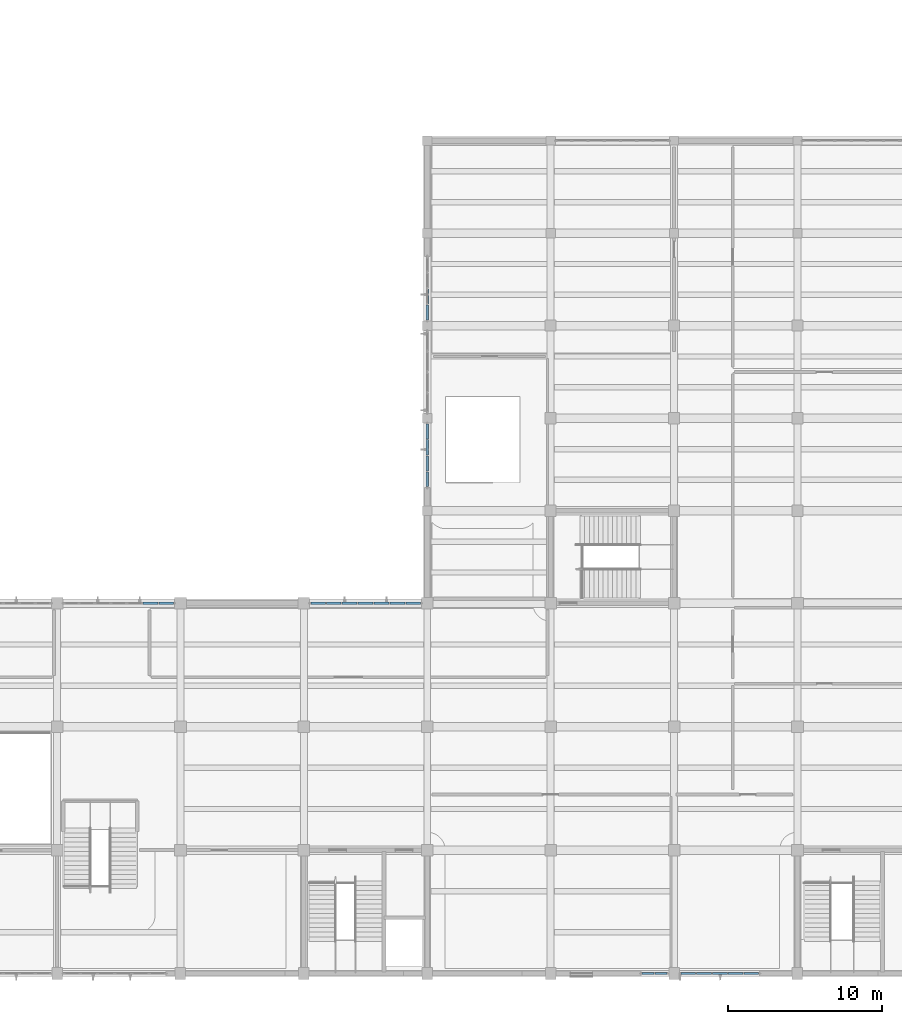
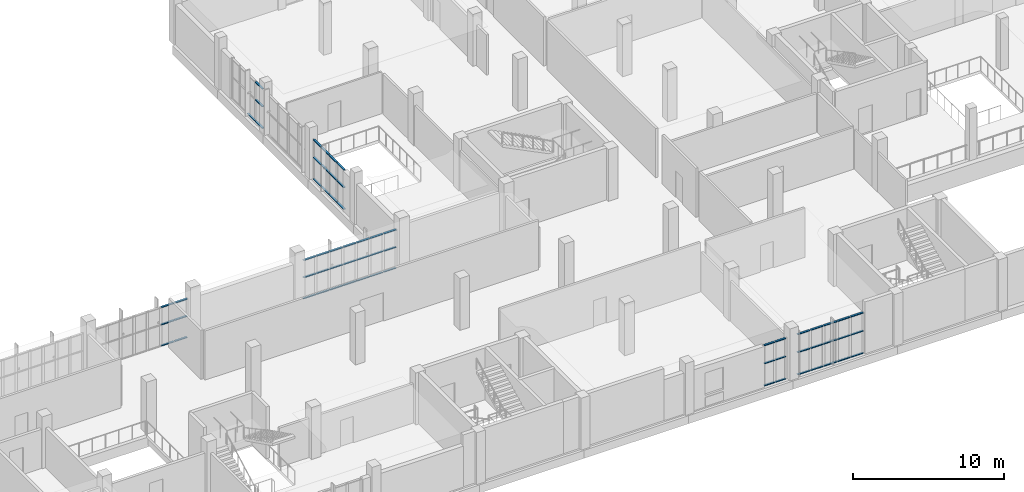
# One storey, part 37 of 85: 64 members, 6 elements without a shape of their own.
"""IFC4 building model written with IfcOpenShell, lengths in metres."""

from ifc_helpers import new_model, si_unit, direction, frame, origin, origin_2d, place, context, subcontext, project, spatial, rectangle, extrude, material, layer, layer_set, material_profile, profile_set, type_object, element, aggregate, save


model = new_model("IFC4")

# Units and contexts
model_context = context("Model", 3, precision=1e-05, world=origin(), true_north=direction((0.0, 1.0)))
body_context = subcontext(model_context, "Body", "Model", "MODEL_VIEW")
ifc_project = project(units=[si_unit("LENGTHUNIT", "METRE"), si_unit("AREAUNIT", "SQUARE_METRE"), si_unit("VOLUMEUNIT", "CUBIC_METRE"), si_unit("PLANEANGLEUNIT", "RADIAN"), si_unit("MASSUNIT", "GRAM", prefix="KILO")], contexts=[model_context])

# Site, building, storey
site_placement = place(None, origin())
site = spatial("IfcSite", under=ifc_project, at=site_placement, CompositionType="ELEMENT")
building_placement = place(site_placement, origin())
building = spatial("IfcBuilding", under=site, at=building_placement, Name="Solvane Community Centre", CompositionType="ELEMENT")
storey_placement = place(building_placement, frame((0.0, 0.0, 5.39990234375)))
storey = spatial("IfcBuildingStorey", under=building, at=storey_placement, Name="L01", CompositionType="ELEMENT", Elevation=5.39990234375)

# Curtain wall, members
ifc_material = material(Name="Anodised bronze aluminium AW-6063 T6", Category="aluminium")
ifc_layer_1 = layer(ifc_material, 0.18994140625)
ifc_layer_set_1 = layer_set([ifc_layer_1], Name="Anodised bronze aluminium AW-6063 T6")
curtain_wall_type_1 = type_object("IfcCurtainWallType", Name="Boulevard Bronze Vision Curtain Wall [51x33dm]", PredefinedType="NOTDEFINED", material=ifc_layer_set_1)
curtain_wall_1_placement = place(storey_placement, origin())
curtain_wall_1 = element("IfcCurtainWall", 1, at=curtain_wall_1_placement, inside=storey, type_object=curtain_wall_type_1, Name="Curtain Wall CW-L01-1295_60-076", PredefinedType="NOTDEFINED")
ifc_material_profile = material_profile(ifc_material, rectangle(XDim=0.14990234375, YDim=0.06005859375, at=origin_2d()), Name="CW-T 60x150")
ifc_profile_set = profile_set([ifc_material_profile], Name="Anodised bronze aluminium AW-6063 T6")
member_type = type_object("IfcMemberType", Name="Boulevard Transom 60x150", PredefinedType="USERDEFINED", material=ifc_profile_set)
member_1_placement = place(storey_placement, frame((129.478515625, 6.0, 0.030029296875), z_axis=(-1.0, 0.0, 0.0), x_axis=(0.0, -1.0, 0.0)))
member_1 = element("IfcMember", 2, at=member_1_placement, type_object=member_type, Name="CW02-51x33 transom 1.1", ObjectType="TRANSOM", PredefinedType="USERDEFINED", context=body_context, shape_type="SweptSolid", body=[
    extrude(rectangle(XDim=0.14990234375, YDim=0.06005859375, at=origin_2d()), origin(), (0.0, 0.0, 1.0), 0.938720703125),
])
member_2_placement = place(storey_placement, frame((129.478515625, 6.0, 1.822998046875), z_axis=(-1.0, 0.0, 0.0), x_axis=(0.0, -1.0, 0.0)))
member_2 = element("IfcMember", 3, at=member_2_placement, type_object=member_type, Name="CW02-51x33 transom 1.2", ObjectType="TRANSOM", PredefinedType="USERDEFINED", context=body_context, shape_type="SweptSolid", body=[
    extrude(rectangle(XDim=0.14990234375, YDim=0.06005859375, at=origin_2d()), origin(), (0.0, 0.0, 1.0), 0.938720703125),
])
member_3_placement = place(storey_placement, frame((129.478515625, 6.0, 3.28515625), z_axis=(-1.0, 0.0, 0.0), x_axis=(0.0, -1.0, 0.0)))
member_3 = element("IfcMember", 4, at=member_3_placement, type_object=member_type, Name="CW02-51x33 transom 1.3", ObjectType="TRANSOM", PredefinedType="USERDEFINED", context=body_context, shape_type="SweptSolid", body=[
    extrude(rectangle(XDim=0.14990234375, YDim=0.06005859375, at=origin_2d()), origin(), (0.0, 0.0, 1.0), 0.938720703125),
])
member_4_placement = place(storey_placement, frame((128.479736328125, 6.0, 0.030029296875), z_axis=(-1.0, 0.0, 0.0), x_axis=(0.0, -1.0, 0.0)))
member_4 = element("IfcMember", 5, at=member_4_placement, type_object=member_type, Name="CW02-51x33 transom 2.1", ObjectType="TRANSOM", PredefinedType="USERDEFINED", context=body_context, shape_type="SweptSolid", body=[
    extrude(rectangle(XDim=0.14990234375, YDim=0.06005859375, at=origin_2d()), origin(), (0.0, 0.0, 1.0), 0.96875),
])
member_5_placement = place(storey_placement, frame((128.479736328125, 6.0, 1.822998046875), z_axis=(-1.0, 0.0, 0.0), x_axis=(0.0, -1.0, 0.0)))
member_5 = element("IfcMember", 6, at=member_5_placement, type_object=member_type, Name="CW02-51x33 transom 2.2", ObjectType="TRANSOM", PredefinedType="USERDEFINED", context=body_context, shape_type="SweptSolid", body=[
    extrude(rectangle(XDim=0.14990234375, YDim=0.06005859375, at=origin_2d()), origin(), (0.0, 0.0, 1.0), 0.96875),
])
member_6_placement = place(storey_placement, frame((128.479736328125, 6.0, 3.28515625), z_axis=(-1.0, 0.0, 0.0), x_axis=(0.0, -1.0, 0.0)))
member_6 = element("IfcMember", 7, at=member_6_placement, type_object=member_type, Name="CW02-51x33 transom 2.3", ObjectType="TRANSOM", PredefinedType="USERDEFINED", context=body_context, shape_type="SweptSolid", body=[
    extrude(rectangle(XDim=0.14990234375, YDim=0.06005859375, at=origin_2d()), origin(), (0.0, 0.0, 1.0), 0.96875),
])
member_7_placement = place(storey_placement, frame((127.451171875, 6.0, 0.030029296875), z_axis=(-1.0, 0.0, 0.0), x_axis=(0.0, -1.0, 0.0)))
member_7 = element("IfcMember", 8, at=member_7_placement, type_object=member_type, Name="CW02-51x33 transom 3.1", ObjectType="TRANSOM", PredefinedType="USERDEFINED", context=body_context, shape_type="SweptSolid", body=[
    extrude(rectangle(XDim=0.14990234375, YDim=0.06005859375, at=origin_2d()), origin(), (0.0, 0.0, 1.0), 0.96875),
])
member_8_placement = place(storey_placement, frame((127.451171875, 6.0, 1.822998046875), z_axis=(-1.0, 0.0, 0.0), x_axis=(0.0, -1.0, 0.0)))
member_8 = element("IfcMember", 9, at=member_8_placement, type_object=member_type, Name="CW02-51x33 transom 3.2", ObjectType="TRANSOM", PredefinedType="USERDEFINED", context=body_context, shape_type="SweptSolid", body=[
    extrude(rectangle(XDim=0.14990234375, YDim=0.06005859375, at=origin_2d()), origin(), (0.0, 0.0, 1.0), 0.96875),
])
member_9_placement = place(storey_placement, frame((127.451171875, 6.0, 3.28515625), z_axis=(-1.0, 0.0, 0.0), x_axis=(0.0, -1.0, 0.0)))
member_9 = element("IfcMember", 10, at=member_9_placement, type_object=member_type, Name="CW02-51x33 transom 3.3", ObjectType="TRANSOM", PredefinedType="USERDEFINED", context=body_context, shape_type="SweptSolid", body=[
    extrude(rectangle(XDim=0.14990234375, YDim=0.06005859375, at=origin_2d()), origin(), (0.0, 0.0, 1.0), 0.96875),
])
member_10_placement = place(storey_placement, frame((126.42236328125, 6.0, 0.030029296875), z_axis=(-1.0, 0.0, 0.0), x_axis=(0.0, -1.0, 0.0)))
member_10 = element("IfcMember", 11, at=member_10_placement, type_object=member_type, Name="CW02-51x33 transom 4.1", ObjectType="TRANSOM", PredefinedType="USERDEFINED", context=body_context, shape_type="SweptSolid", body=[
    extrude(rectangle(XDim=0.14990234375, YDim=0.06005859375, at=origin_2d()), origin(), (0.0, 0.0, 1.0), 0.96875),
])
member_11_placement = place(storey_placement, frame((126.42236328125, 6.0, 1.822998046875), z_axis=(-1.0, 0.0, 0.0), x_axis=(0.0, -1.0, 0.0)))
member_11 = element("IfcMember", 12, at=member_11_placement, type_object=member_type, Name="CW02-51x33 transom 4.2", ObjectType="TRANSOM", PredefinedType="USERDEFINED", context=body_context, shape_type="SweptSolid", body=[
    extrude(rectangle(XDim=0.14990234375, YDim=0.06005859375, at=origin_2d()), origin(), (0.0, 0.0, 1.0), 0.96875),
])
member_12_placement = place(storey_placement, frame((126.42236328125, 6.0, 3.28515625), z_axis=(-1.0, 0.0, 0.0), x_axis=(0.0, -1.0, 0.0)))
member_12 = element("IfcMember", 13, at=member_12_placement, type_object=member_type, Name="CW02-51x33 transom 4.3", ObjectType="TRANSOM", PredefinedType="USERDEFINED", context=body_context, shape_type="SweptSolid", body=[
    extrude(rectangle(XDim=0.14990234375, YDim=0.06005859375, at=origin_2d()), origin(), (0.0, 0.0, 1.0), 0.96875),
])
member_13_placement = place(storey_placement, frame((125.393798828125, 6.0, 0.030029296875), z_axis=(-1.0, 0.0, 0.0), x_axis=(0.0, -1.0, 0.0)))
member_13 = element("IfcMember", 14, at=member_13_placement, type_object=member_type, Name="CW02-51x33 transom 5.1", ObjectType="TRANSOM", PredefinedType="USERDEFINED", context=body_context, shape_type="SweptSolid", body=[
    extrude(rectangle(XDim=0.14990234375, YDim=0.06005859375, at=origin_2d()), origin(), (0.0, 0.0, 1.0), 0.938720703125),
])
member_14_placement = place(storey_placement, frame((125.393798828125, 6.0, 1.822998046875), z_axis=(-1.0, 0.0, 0.0), x_axis=(0.0, -1.0, 0.0)))
member_14 = element("IfcMember", 15, at=member_14_placement, type_object=member_type, Name="CW02-51x33 transom 5.2", ObjectType="TRANSOM", PredefinedType="USERDEFINED", context=body_context, shape_type="SweptSolid", body=[
    extrude(rectangle(XDim=0.14990234375, YDim=0.06005859375, at=origin_2d()), origin(), (0.0, 0.0, 1.0), 0.938720703125),
])
member_15_placement = place(storey_placement, frame((125.393798828125, 6.0, 3.28515625), z_axis=(-1.0, 0.0, 0.0), x_axis=(0.0, -1.0, 0.0)))
member_15 = element("IfcMember", 16, at=member_15_placement, type_object=member_type, Name="CW02-51x33 transom 5.3", ObjectType="TRANSOM", PredefinedType="USERDEFINED", context=body_context, shape_type="SweptSolid", body=[
    extrude(rectangle(XDim=0.14990234375, YDim=0.06005859375, at=origin_2d()), origin(), (0.0, 0.0, 1.0), 0.938720703125),
])
aggregate(curtain_wall_1, [member_1, member_2, member_3, member_4, member_5, member_6, member_7, member_8, member_9, member_10, member_11, member_12, member_13, member_14, member_15])

ifc_layer_2 = layer(ifc_material, 0.18994140625)
ifc_layer_set_2 = layer_set([ifc_layer_2], Name="Anodised bronze aluminium AW-6063 T6")
curtain_wall_type_2 = type_object("IfcCurtainWallType", Name="Boulevard Bronze Vision Curtain Wall [18x33dm]", PredefinedType="NOTDEFINED", material=ifc_layer_set_2)
curtain_wall_2_placement = place(storey_placement, origin())
curtain_wall_2 = element("IfcCurtainWall", 17, at=curtain_wall_2_placement, inside=storey, type_object=curtain_wall_type_2, Name="Curtain Wall CW-L01-1236_60-077", PredefinedType="NOTDEFINED")
member_16_placement = place(storey_placement, frame((123.544921875, 6.0, 0.030029296875), z_axis=(-1.0, 0.0, 0.0), x_axis=(0.0, -1.0, 0.0)))
member_16 = element("IfcMember", 18, at=member_16_placement, type_object=member_type, Name="CW02-18x33 transom 1.1", ObjectType="TRANSOM", PredefinedType="USERDEFINED", context=body_context, shape_type="SweptSolid", body=[
    extrude(rectangle(XDim=0.14990234375, YDim=0.06005859375, at=origin_2d()), origin(), (0.0, 0.0, 1.0), 0.789306640625),
])
member_17_placement = place(storey_placement, frame((123.544921875, 6.0, 1.822998046875), z_axis=(-1.0, 0.0, 0.0), x_axis=(0.0, -1.0, 0.0)))
member_17 = element("IfcMember", 19, at=member_17_placement, type_object=member_type, Name="CW02-18x33 transom 1.2", ObjectType="TRANSOM", PredefinedType="USERDEFINED", context=body_context, shape_type="SweptSolid", body=[
    extrude(rectangle(XDim=0.14990234375, YDim=0.06005859375, at=origin_2d()), origin(), (0.0, 0.0, 1.0), 0.789306640625),
])
member_18_placement = place(storey_placement, frame((123.544921875, 6.0, 3.28515625), z_axis=(-1.0, 0.0, 0.0), x_axis=(0.0, -1.0, 0.0)))
member_18 = element("IfcMember", 20, at=member_18_placement, type_object=member_type, Name="CW02-18x33 transom 1.3", ObjectType="TRANSOM", PredefinedType="USERDEFINED", context=body_context, shape_type="SweptSolid", body=[
    extrude(rectangle(XDim=0.14990234375, YDim=0.06005859375, at=origin_2d()), origin(), (0.0, 0.0, 1.0), 0.789306640625),
])
member_19_placement = place(storey_placement, frame((122.695556640625, 6.0, 0.030029296875), z_axis=(-1.0, 0.0, 0.0), x_axis=(0.0, -1.0, 0.0)))
member_19 = element("IfcMember", 21, at=member_19_placement, type_object=member_type, Name="CW02-18x33 transom 2.1", ObjectType="TRANSOM", PredefinedType="USERDEFINED", context=body_context, shape_type="SweptSolid", body=[
    extrude(rectangle(XDim=0.14990234375, YDim=0.06005859375, at=origin_2d()), origin(), (0.0, 0.0, 1.0), 0.789306640625),
])
member_20_placement = place(storey_placement, frame((122.695556640625, 6.0, 1.822998046875), z_axis=(-1.0, 0.0, 0.0), x_axis=(0.0, -1.0, 0.0)))
member_20 = element("IfcMember", 22, at=member_20_placement, type_object=member_type, Name="CW02-18x33 transom 2.2", ObjectType="TRANSOM", PredefinedType="USERDEFINED", context=body_context, shape_type="SweptSolid", body=[
    extrude(rectangle(XDim=0.14990234375, YDim=0.06005859375, at=origin_2d()), origin(), (0.0, 0.0, 1.0), 0.789306640625),
])
member_21_placement = place(storey_placement, frame((122.695556640625, 6.0, 3.28515625), z_axis=(-1.0, 0.0, 0.0), x_axis=(0.0, -1.0, 0.0)))
member_21 = element("IfcMember", 23, at=member_21_placement, type_object=member_type, Name="CW02-18x33 transom 2.3", ObjectType="TRANSOM", PredefinedType="USERDEFINED", context=body_context, shape_type="SweptSolid", body=[
    extrude(rectangle(XDim=0.14990234375, YDim=0.06005859375, at=origin_2d()), origin(), (0.0, 0.0, 1.0), 0.789306640625),
])
aggregate(curtain_wall_2, [member_16, member_17, member_18, member_19, member_20, member_21])

ifc_layer_3 = layer(ifc_material, 0.18994140625)
ifc_layer_set_3 = layer_set([ifc_layer_3], Name="Anodised bronze aluminium AW-6063 T6")
curtain_wall_type_3 = type_object("IfcCurtainWallType", Name="Boulevard Bronze Vision Curtain Wall [72x32dm]", PredefinedType="NOTDEFINED", material=ifc_layer_set_3)
curtain_wall_3_placement = place(storey_placement, origin())
curtain_wall_3 = element("IfcCurtainWall", 24, at=curtain_wall_3_placement, inside=storey, type_object=curtain_wall_type_3, Name="Curtain Wall CW-L01-844_300-112", PredefinedType="NOTDEFINED")
member_22_placement = place(storey_placement, frame((89.5771484375, 30.0, 0.030029296875), z_axis=(1.0, 0.0, 0.0), x_axis=(0.0, 1.0, 0.0)))
member_22 = element("IfcMember", 25, at=member_22_placement, type_object=member_type, Name="CW02-72x32 transom 6.1", ObjectType="TRANSOM", PredefinedType="USERDEFINED", context=body_context, shape_type="SweptSolid", body=[
    extrude(rectangle(XDim=0.14990234375, YDim=0.06005859375, at=origin_2d()), origin(), (0.0, 0.0, 1.0), 0.971435546875),
])
member_23_placement = place(storey_placement, frame((89.5771484375, 30.0, 1.7412109375), z_axis=(1.0, 0.0, 0.0), x_axis=(0.0, 1.0, 0.0)))
member_23 = element("IfcMember", 26, at=member_23_placement, type_object=member_type, Name="CW02-72x32 transom 6.2", ObjectType="TRANSOM", PredefinedType="USERDEFINED", context=body_context, shape_type="SweptSolid", body=[
    extrude(rectangle(XDim=0.14990234375, YDim=0.06005859375, at=origin_2d()), origin(), (0.0, 0.0, 1.0), 0.971435546875),
])
member_24_placement = place(storey_placement, frame((89.5771484375, 30.0, 3.135009765625), z_axis=(1.0, 0.0, 0.0), x_axis=(0.0, 1.0, 0.0)))
member_24 = element("IfcMember", 27, at=member_24_placement, type_object=member_type, Name="CW02-72x32 transom 6.3", ObjectType="TRANSOM", PredefinedType="USERDEFINED", context=body_context, shape_type="SweptSolid", body=[
    extrude(rectangle(XDim=0.14990234375, YDim=0.06005859375, at=origin_2d()), origin(), (0.0, 0.0, 1.0), 0.971435546875),
])
member_25_placement = place(storey_placement, frame((90.608642578125, 30.0, 0.030029296875), z_axis=(1.0, 0.0, 0.0), x_axis=(0.0, 1.0, 0.0)))
member_25 = element("IfcMember", 28, at=member_25_placement, type_object=member_type, Name="CW02-72x32 transom 7.1", ObjectType="TRANSOM", PredefinedType="USERDEFINED", context=body_context, shape_type="SweptSolid", body=[
    extrude(rectangle(XDim=0.14990234375, YDim=0.06005859375, at=origin_2d()), origin(), (0.0, 0.0, 1.0), 0.94140625),
])
member_26_placement = place(storey_placement, frame((90.608642578125, 30.0, 1.7412109375), z_axis=(1.0, 0.0, 0.0), x_axis=(0.0, 1.0, 0.0)))
member_26 = element("IfcMember", 29, at=member_26_placement, type_object=member_type, Name="CW02-72x32 transom 7.2", ObjectType="TRANSOM", PredefinedType="USERDEFINED", context=body_context, shape_type="SweptSolid", body=[
    extrude(rectangle(XDim=0.14990234375, YDim=0.06005859375, at=origin_2d()), origin(), (0.0, 0.0, 1.0), 0.94140625),
])
member_27_placement = place(storey_placement, frame((90.608642578125, 30.0, 3.135009765625), z_axis=(1.0, 0.0, 0.0), x_axis=(0.0, 1.0, 0.0)))
member_27 = element("IfcMember", 30, at=member_27_placement, type_object=member_type, Name="CW02-72x32 transom 7.3", ObjectType="TRANSOM", PredefinedType="USERDEFINED", context=body_context, shape_type="SweptSolid", body=[
    extrude(rectangle(XDim=0.14990234375, YDim=0.06005859375, at=origin_2d()), origin(), (0.0, 0.0, 1.0), 0.94140625),
])
aggregate(curtain_wall_3, [member_22, member_23, member_24, member_25, member_26, member_27])

curtain_wall_4_placement = place(storey_placement, origin())
curtain_wall_4 = element("IfcCurtainWall", 31, at=curtain_wall_4_placement, inside=storey, type_object=curtain_wall_type_3, Name="Curtain Wall CW-L01-1004_300-113", PredefinedType="NOTDEFINED")
member_28_placement = place(storey_placement, frame((100.449951171875, 30.0, 0.030029296875), z_axis=(1.0, 0.0, 0.0), x_axis=(0.0, 1.0, 0.0)))
member_28 = element("IfcMember", 32, at=member_28_placement, type_object=member_type, Name="CW02-72x32 transom 1.1", ObjectType="TRANSOM", PredefinedType="USERDEFINED", context=body_context, shape_type="SweptSolid", body=[
    extrude(rectangle(XDim=0.14990234375, YDim=0.06005859375, at=origin_2d()), origin(), (0.0, 0.0, 1.0), 0.94140625),
])
member_29_placement = place(storey_placement, frame((100.449951171875, 30.0, 1.7412109375), z_axis=(1.0, 0.0, 0.0), x_axis=(0.0, 1.0, 0.0)))
member_29 = element("IfcMember", 33, at=member_29_placement, type_object=member_type, Name="CW02-72x32 transom 1.2", ObjectType="TRANSOM", PredefinedType="USERDEFINED", context=body_context, shape_type="SweptSolid", body=[
    extrude(rectangle(XDim=0.14990234375, YDim=0.06005859375, at=origin_2d()), origin(), (0.0, 0.0, 1.0), 0.94140625),
])
member_30_placement = place(storey_placement, frame((100.449951171875, 30.0, 3.135009765625), z_axis=(1.0, 0.0, 0.0), x_axis=(0.0, 1.0, 0.0)))
member_30 = element("IfcMember", 34, at=member_30_placement, type_object=member_type, Name="CW02-72x32 transom 1.3", ObjectType="TRANSOM", PredefinedType="USERDEFINED", context=body_context, shape_type="SweptSolid", body=[
    extrude(rectangle(XDim=0.14990234375, YDim=0.06005859375, at=origin_2d()), origin(), (0.0, 0.0, 1.0), 0.94140625),
])
member_31_placement = place(storey_placement, frame((101.451416015625, 30.0, 0.030029296875), z_axis=(1.0, 0.0, 0.0), x_axis=(0.0, 1.0, 0.0)))
member_31 = element("IfcMember", 35, at=member_31_placement, type_object=member_type, Name="CW02-72x32 transom 2.1", ObjectType="TRANSOM", PredefinedType="USERDEFINED", context=body_context, shape_type="SweptSolid", body=[
    extrude(rectangle(XDim=0.14990234375, YDim=0.06005859375, at=origin_2d()), origin(), (0.0, 0.0, 1.0), 0.971435546875),
])
member_32_placement = place(storey_placement, frame((101.451416015625, 30.0, 1.7412109375), z_axis=(1.0, 0.0, 0.0), x_axis=(0.0, 1.0, 0.0)))
member_32 = element("IfcMember", 36, at=member_32_placement, type_object=member_type, Name="CW02-72x32 transom 2.2", ObjectType="TRANSOM", PredefinedType="USERDEFINED", context=body_context, shape_type="SweptSolid", body=[
    extrude(rectangle(XDim=0.14990234375, YDim=0.06005859375, at=origin_2d()), origin(), (0.0, 0.0, 1.0), 0.971435546875),
])
member_33_placement = place(storey_placement, frame((101.451416015625, 30.0, 3.135009765625), z_axis=(1.0, 0.0, 0.0), x_axis=(0.0, 1.0, 0.0)))
member_33 = element("IfcMember", 37, at=member_33_placement, type_object=member_type, Name="CW02-72x32 transom 2.3", ObjectType="TRANSOM", PredefinedType="USERDEFINED", context=body_context, shape_type="SweptSolid", body=[
    extrude(rectangle(XDim=0.14990234375, YDim=0.06005859375, at=origin_2d()), origin(), (0.0, 0.0, 1.0), 0.971435546875),
])
member_34_placement = place(storey_placement, frame((102.48291015625, 30.0, 0.030029296875), z_axis=(1.0, 0.0, 0.0), x_axis=(0.0, 1.0, 0.0)))
member_34 = element("IfcMember", 38, at=member_34_placement, type_object=member_type, Name="CW02-72x32 transom 3.1", ObjectType="TRANSOM", PredefinedType="USERDEFINED", context=body_context, shape_type="SweptSolid", body=[
    extrude(rectangle(XDim=0.14990234375, YDim=0.06005859375, at=origin_2d()), origin(), (0.0, 0.0, 1.0), 0.971435546875),
])
member_35_placement = place(storey_placement, frame((102.48291015625, 30.0, 1.7412109375), z_axis=(1.0, 0.0, 0.0), x_axis=(0.0, 1.0, 0.0)))
member_35 = element("IfcMember", 39, at=member_35_placement, type_object=member_type, Name="CW02-72x32 transom 3.2", ObjectType="TRANSOM", PredefinedType="USERDEFINED", context=body_context, shape_type="SweptSolid", body=[
    extrude(rectangle(XDim=0.14990234375, YDim=0.06005859375, at=origin_2d()), origin(), (0.0, 0.0, 1.0), 0.971435546875),
])
member_36_placement = place(storey_placement, frame((102.48291015625, 30.0, 3.135009765625), z_axis=(1.0, 0.0, 0.0), x_axis=(0.0, 1.0, 0.0)))
member_36 = element("IfcMember", 40, at=member_36_placement, type_object=member_type, Name="CW02-72x32 transom 3.3", ObjectType="TRANSOM", PredefinedType="USERDEFINED", context=body_context, shape_type="SweptSolid", body=[
    extrude(rectangle(XDim=0.14990234375, YDim=0.06005859375, at=origin_2d()), origin(), (0.0, 0.0, 1.0), 0.971435546875),
])
member_37_placement = place(storey_placement, frame((103.514404296875, 30.0, 0.030029296875), z_axis=(1.0, 0.0, 0.0), x_axis=(0.0, 1.0, 0.0)))
member_37 = element("IfcMember", 41, at=member_37_placement, type_object=member_type, Name="CW02-72x32 transom 4.1", ObjectType="TRANSOM", PredefinedType="USERDEFINED", context=body_context, shape_type="SweptSolid", body=[
    extrude(rectangle(XDim=0.14990234375, YDim=0.06005859375, at=origin_2d()), origin(), (0.0, 0.0, 1.0), 0.97119140625),
])
member_38_placement = place(storey_placement, frame((103.514404296875, 30.0, 1.7412109375), z_axis=(1.0, 0.0, 0.0), x_axis=(0.0, 1.0, 0.0)))
member_38 = element("IfcMember", 42, at=member_38_placement, type_object=member_type, Name="CW02-72x32 transom 4.2", ObjectType="TRANSOM", PredefinedType="USERDEFINED", context=body_context, shape_type="SweptSolid", body=[
    extrude(rectangle(XDim=0.14990234375, YDim=0.06005859375, at=origin_2d()), origin(), (0.0, 0.0, 1.0), 0.97119140625),
])
member_39_placement = place(storey_placement, frame((103.514404296875, 30.0, 3.135009765625), z_axis=(1.0, 0.0, 0.0), x_axis=(0.0, 1.0, 0.0)))
member_39 = element("IfcMember", 43, at=member_39_placement, type_object=member_type, Name="CW02-72x32 transom 4.3", ObjectType="TRANSOM", PredefinedType="USERDEFINED", context=body_context, shape_type="SweptSolid", body=[
    extrude(rectangle(XDim=0.14990234375, YDim=0.06005859375, at=origin_2d()), origin(), (0.0, 0.0, 1.0), 0.97119140625),
])
member_40_placement = place(storey_placement, frame((104.545654296875, 30.0, 0.030029296875), z_axis=(1.0, 0.0, 0.0), x_axis=(0.0, 1.0, 0.0)))
member_40 = element("IfcMember", 44, at=member_40_placement, type_object=member_type, Name="CW02-72x32 transom 5.1", ObjectType="TRANSOM", PredefinedType="USERDEFINED", context=body_context, shape_type="SweptSolid", body=[
    extrude(rectangle(XDim=0.14990234375, YDim=0.06005859375, at=origin_2d()), origin(), (0.0, 0.0, 1.0), 0.971435546875),
])
member_41_placement = place(storey_placement, frame((104.545654296875, 30.0, 1.7412109375), z_axis=(1.0, 0.0, 0.0), x_axis=(0.0, 1.0, 0.0)))
member_41 = element("IfcMember", 45, at=member_41_placement, type_object=member_type, Name="CW02-72x32 transom 5.2", ObjectType="TRANSOM", PredefinedType="USERDEFINED", context=body_context, shape_type="SweptSolid", body=[
    extrude(rectangle(XDim=0.14990234375, YDim=0.06005859375, at=origin_2d()), origin(), (0.0, 0.0, 1.0), 0.971435546875),
])
member_42_placement = place(storey_placement, frame((104.545654296875, 30.0, 3.135009765625), z_axis=(1.0, 0.0, 0.0), x_axis=(0.0, 1.0, 0.0)))
member_42 = element("IfcMember", 46, at=member_42_placement, type_object=member_type, Name="CW02-72x32 transom 5.3", ObjectType="TRANSOM", PredefinedType="USERDEFINED", context=body_context, shape_type="SweptSolid", body=[
    extrude(rectangle(XDim=0.14990234375, YDim=0.06005859375, at=origin_2d()), origin(), (0.0, 0.0, 1.0), 0.971435546875),
])
member_43_placement = place(storey_placement, frame((105.5771484375, 30.0, 0.030029296875), z_axis=(1.0, 0.0, 0.0), x_axis=(0.0, 1.0, 0.0)))
member_43 = element("IfcMember", 47, at=member_43_placement, type_object=member_type, Name="CW02-72x32 transom 6.1", ObjectType="TRANSOM", PredefinedType="USERDEFINED", context=body_context, shape_type="SweptSolid", body=[
    extrude(rectangle(XDim=0.14990234375, YDim=0.06005859375, at=origin_2d()), origin(), (0.0, 0.0, 1.0), 0.971435546875),
])
member_44_placement = place(storey_placement, frame((105.5771484375, 30.0, 1.7412109375), z_axis=(1.0, 0.0, 0.0), x_axis=(0.0, 1.0, 0.0)))
member_44 = element("IfcMember", 48, at=member_44_placement, type_object=member_type, Name="CW02-72x32 transom 6.2", ObjectType="TRANSOM", PredefinedType="USERDEFINED", context=body_context, shape_type="SweptSolid", body=[
    extrude(rectangle(XDim=0.14990234375, YDim=0.06005859375, at=origin_2d()), origin(), (0.0, 0.0, 1.0), 0.971435546875),
])
member_45_placement = place(storey_placement, frame((105.5771484375, 30.0, 3.135009765625), z_axis=(1.0, 0.0, 0.0), x_axis=(0.0, 1.0, 0.0)))
member_45 = element("IfcMember", 49, at=member_45_placement, type_object=member_type, Name="CW02-72x32 transom 6.3", ObjectType="TRANSOM", PredefinedType="USERDEFINED", context=body_context, shape_type="SweptSolid", body=[
    extrude(rectangle(XDim=0.14990234375, YDim=0.06005859375, at=origin_2d()), origin(), (0.0, 0.0, 1.0), 0.971435546875),
])
member_46_placement = place(storey_placement, frame((106.608642578125, 30.0, 0.030029296875), z_axis=(1.0, 0.0, 0.0), x_axis=(0.0, 1.0, 0.0)))
member_46 = element("IfcMember", 50, at=member_46_placement, type_object=member_type, Name="CW02-72x32 transom 7.1", ObjectType="TRANSOM", PredefinedType="USERDEFINED", context=body_context, shape_type="SweptSolid", body=[
    extrude(rectangle(XDim=0.14990234375, YDim=0.06005859375, at=origin_2d()), origin(), (0.0, 0.0, 1.0), 0.94140625),
])
member_47_placement = place(storey_placement, frame((106.608642578125, 30.0, 1.7412109375), z_axis=(1.0, 0.0, 0.0), x_axis=(0.0, 1.0, 0.0)))
member_47 = element("IfcMember", 51, at=member_47_placement, type_object=member_type, Name="CW02-72x32 transom 7.2", ObjectType="TRANSOM", PredefinedType="USERDEFINED", context=body_context, shape_type="SweptSolid", body=[
    extrude(rectangle(XDim=0.14990234375, YDim=0.06005859375, at=origin_2d()), origin(), (0.0, 0.0, 1.0), 0.94140625),
])
member_48_placement = place(storey_placement, frame((106.608642578125, 30.0, 3.135009765625), z_axis=(1.0, 0.0, 0.0), x_axis=(0.0, 1.0, 0.0)))
member_48 = element("IfcMember", 52, at=member_48_placement, type_object=member_type, Name="CW02-72x32 transom 7.3", ObjectType="TRANSOM", PredefinedType="USERDEFINED", context=body_context, shape_type="SweptSolid", body=[
    extrude(rectangle(XDim=0.14990234375, YDim=0.06005859375, at=origin_2d()), origin(), (0.0, 0.0, 1.0), 0.94140625),
])
aggregate(curtain_wall_4, [member_28, member_29, member_30, member_31, member_32, member_33, member_34, member_35, member_36, member_37, member_38, member_39, member_40, member_41, member_42, member_43, member_44, member_45, member_46, member_47, member_48])

ifc_layer_4 = layer(ifc_material, 0.18994140625)
ifc_layer_set_4 = layer_set([ifc_layer_4], Name="Anodised bronze aluminium AW-6063 T6")
curtain_wall_type_4 = type_object("IfcCurtainWallType", Name="Boulevard Bronze Vision Curtain Wall [42x32dm]", PredefinedType="NOTDEFINED", material=ifc_layer_set_4)
curtain_wall_5_placement = place(storey_placement, origin())
curtain_wall_5 = element("IfcCurtainWall", 53, at=curtain_wall_5_placement, inside=storey, type_object=curtain_wall_type_4, Name="Curtain Wall CW-L01-1080_375-114", PredefinedType="NOTDEFINED")
member_49_placement = place(storey_placement, frame((108.0, 37.56005859375, 0.030029296875), z_axis=(0.0, 1.0, 0.0), x_axis=(-1.0, 0.0, 0.0)))
member_49 = element("IfcMember", 54, at=member_49_placement, type_object=member_type, Name="CW02-42x32 transom 1.1", ObjectType="TRANSOM", PredefinedType="USERDEFINED", context=body_context, shape_type="SweptSolid", body=[
    extrude(rectangle(XDim=0.14990234375, YDim=0.06005859375, at=origin_2d()), origin(), (0.0, 0.0, 1.0), 0.954833984375),
])
member_50_placement = place(storey_placement, frame((108.0, 37.56005859375, 1.78515625), z_axis=(0.0, 1.0, 0.0), x_axis=(-1.0, 0.0, 0.0)))
member_50 = element("IfcMember", 55, at=member_50_placement, type_object=member_type, Name="CW02-42x32 transom 1.2", ObjectType="TRANSOM", PredefinedType="USERDEFINED", context=body_context, shape_type="SweptSolid", body=[
    extrude(rectangle(XDim=0.14990234375, YDim=0.06005859375, at=origin_2d()), origin(), (0.0, 0.0, 1.0), 0.954833984375),
])
member_51_placement = place(storey_placement, frame((108.0, 37.56005859375, 3.215087890625), z_axis=(0.0, 1.0, 0.0), x_axis=(-1.0, 0.0, 0.0)))
member_51 = element("IfcMember", 56, at=member_51_placement, type_object=member_type, Name="CW02-42x32 transom 1.3", ObjectType="TRANSOM", PredefinedType="USERDEFINED", context=body_context, shape_type="SweptSolid", body=[
    extrude(rectangle(XDim=0.14990234375, YDim=0.06005859375, at=origin_2d()), origin(), (0.0, 0.0, 1.0), 0.954833984375),
])
member_52_placement = place(storey_placement, frame((108.0, 38.574951171875, 0.030029296875), z_axis=(0.0, 1.0, 0.0), x_axis=(-1.0, 0.0, 0.0)))
member_52 = element("IfcMember", 57, at=member_52_placement, type_object=member_type, Name="CW02-42x32 transom 2.1", ObjectType="TRANSOM", PredefinedType="USERDEFINED", context=body_context, shape_type="SweptSolid", body=[
    extrude(rectangle(XDim=0.14990234375, YDim=0.06005859375, at=origin_2d()), origin(), (0.0, 0.0, 1.0), 0.985107421875),
])
member_53_placement = place(storey_placement, frame((108.0, 38.574951171875, 1.78515625), z_axis=(0.0, 1.0, 0.0), x_axis=(-1.0, 0.0, 0.0)))
member_53 = element("IfcMember", 58, at=member_53_placement, type_object=member_type, Name="CW02-42x32 transom 2.2", ObjectType="TRANSOM", PredefinedType="USERDEFINED", context=body_context, shape_type="SweptSolid", body=[
    extrude(rectangle(XDim=0.14990234375, YDim=0.06005859375, at=origin_2d()), origin(), (0.0, 0.0, 1.0), 0.985107421875),
])
member_54_placement = place(storey_placement, frame((108.0, 38.574951171875, 3.215087890625), z_axis=(0.0, 1.0, 0.0), x_axis=(-1.0, 0.0, 0.0)))
member_54 = element("IfcMember", 59, at=member_54_placement, type_object=member_type, Name="CW02-42x32 transom 2.3", ObjectType="TRANSOM", PredefinedType="USERDEFINED", context=body_context, shape_type="SweptSolid", body=[
    extrude(rectangle(XDim=0.14990234375, YDim=0.06005859375, at=origin_2d()), origin(), (0.0, 0.0, 1.0), 0.985107421875),
])
member_55_placement = place(storey_placement, frame((108.0, 39.6201171875, 0.030029296875), z_axis=(0.0, 1.0, 0.0), x_axis=(-1.0, 0.0, 0.0)))
member_55 = element("IfcMember", 60, at=member_55_placement, type_object=member_type, Name="CW02-42x32 transom 3.1", ObjectType="TRANSOM", PredefinedType="USERDEFINED", context=body_context, shape_type="SweptSolid", body=[
    extrude(rectangle(XDim=0.14990234375, YDim=0.06005859375, at=origin_2d()), origin(), (0.0, 0.0, 1.0), 0.98486328125),
])
member_56_placement = place(storey_placement, frame((108.0, 39.6201171875, 1.78515625), z_axis=(0.0, 1.0, 0.0), x_axis=(-1.0, 0.0, 0.0)))
member_56 = element("IfcMember", 61, at=member_56_placement, type_object=member_type, Name="CW02-42x32 transom 3.2", ObjectType="TRANSOM", PredefinedType="USERDEFINED", context=body_context, shape_type="SweptSolid", body=[
    extrude(rectangle(XDim=0.14990234375, YDim=0.06005859375, at=origin_2d()), origin(), (0.0, 0.0, 1.0), 0.98486328125),
])
member_57_placement = place(storey_placement, frame((108.0, 39.6201171875, 3.215087890625), z_axis=(0.0, 1.0, 0.0), x_axis=(-1.0, 0.0, 0.0)))
member_57 = element("IfcMember", 62, at=member_57_placement, type_object=member_type, Name="CW02-42x32 transom 3.3", ObjectType="TRANSOM", PredefinedType="USERDEFINED", context=body_context, shape_type="SweptSolid", body=[
    extrude(rectangle(XDim=0.14990234375, YDim=0.06005859375, at=origin_2d()), origin(), (0.0, 0.0, 1.0), 0.98486328125),
])
member_58_placement = place(storey_placement, frame((108.0, 40.6650390625, 0.030029296875), z_axis=(0.0, 1.0, 0.0), x_axis=(-1.0, 0.0, 0.0)))
member_58 = element("IfcMember", 63, at=member_58_placement, type_object=member_type, Name="CW02-42x32 transom 4.1", ObjectType="TRANSOM", PredefinedType="USERDEFINED", context=body_context, shape_type="SweptSolid", body=[
    extrude(rectangle(XDim=0.14990234375, YDim=0.06005859375, at=origin_2d()), origin(), (0.0, 0.0, 1.0), 0.955078125),
])
member_59_placement = place(storey_placement, frame((108.0, 40.6650390625, 1.78515625), z_axis=(0.0, 1.0, 0.0), x_axis=(-1.0, 0.0, 0.0)))
member_59 = element("IfcMember", 64, at=member_59_placement, type_object=member_type, Name="CW02-42x32 transom 4.2", ObjectType="TRANSOM", PredefinedType="USERDEFINED", context=body_context, shape_type="SweptSolid", body=[
    extrude(rectangle(XDim=0.14990234375, YDim=0.06005859375, at=origin_2d()), origin(), (0.0, 0.0, 1.0), 0.955078125),
])
member_60_placement = place(storey_placement, frame((108.0, 40.6650390625, 3.215087890625), z_axis=(0.0, 1.0, 0.0), x_axis=(-1.0, 0.0, 0.0)))
member_60 = element("IfcMember", 65, at=member_60_placement, type_object=member_type, Name="CW02-42x32 transom 4.3", ObjectType="TRANSOM", PredefinedType="USERDEFINED", context=body_context, shape_type="SweptSolid", body=[
    extrude(rectangle(XDim=0.14990234375, YDim=0.06005859375, at=origin_2d()), origin(), (0.0, 0.0, 1.0), 0.955078125),
])
aggregate(curtain_wall_5, [member_49, member_50, member_51, member_52, member_53, member_54, member_55, member_56, member_57, member_58, member_59, member_60])

curtain_wall_6_placement = place(storey_placement, origin())
curtain_wall_6 = element("IfcCurtainWall", 66, at=curtain_wall_6_placement, inside=storey, type_object=curtain_wall_type_4, Name="Curtain Wall CW-L01-1080_483-117", PredefinedType="NOTDEFINED")
member_61_placement = place(storey_placement, frame((108.0, 48.3798828125, 0.030029296875), z_axis=(0.0, 1.0, 0.0), x_axis=(-1.0, 0.0, 0.0)))
member_61 = element("IfcMember", 67, at=member_61_placement, type_object=member_type, Name="CW02-42x32 transom 1.1", ObjectType="TRANSOM", PredefinedType="USERDEFINED", context=body_context, shape_type="SweptSolid", body=[
    extrude(rectangle(XDim=0.14990234375, YDim=0.06005859375, at=origin_2d()), origin(), (0.0, 0.0, 1.0), 0.955078125),
])
member_62_placement = place(storey_placement, frame((108.0, 48.3798828125, 1.78515625), z_axis=(0.0, 1.0, 0.0), x_axis=(-1.0, 0.0, 0.0)))
member_62 = element("IfcMember", 68, at=member_62_placement, type_object=member_type, Name="CW02-42x32 transom 1.2", ObjectType="TRANSOM", PredefinedType="USERDEFINED", context=body_context, shape_type="SweptSolid", body=[
    extrude(rectangle(XDim=0.14990234375, YDim=0.06005859375, at=origin_2d()), origin(), (0.0, 0.0, 1.0), 0.955078125),
])
member_63_placement = place(storey_placement, frame((108.0, 48.3798828125, 3.215087890625), z_axis=(0.0, 1.0, 0.0), x_axis=(-1.0, 0.0, 0.0)))
member_63 = element("IfcMember", 69, at=member_63_placement, type_object=member_type, Name="CW02-42x32 transom 1.3", ObjectType="TRANSOM", PredefinedType="USERDEFINED", context=body_context, shape_type="SweptSolid", body=[
    extrude(rectangle(XDim=0.14990234375, YDim=0.06005859375, at=origin_2d()), origin(), (0.0, 0.0, 1.0), 0.955078125),
])
member_64_placement = place(storey_placement, frame((108.0, 49.39501953125, 0.030029296875), z_axis=(0.0, 1.0, 0.0), x_axis=(-1.0, 0.0, 0.0)))
member_64 = element("IfcMember", 70, at=member_64_placement, type_object=member_type, Name="CW02-42x32 transom 2.1", ObjectType="TRANSOM", PredefinedType="USERDEFINED", context=body_context, shape_type="SweptSolid", body=[
    extrude(rectangle(XDim=0.14990234375, YDim=0.06005859375, at=origin_2d()), origin(), (0.0, 0.0, 1.0), 0.98486328125),
])
aggregate(curtain_wall_6, [member_61, member_62, member_63, member_64])

save(model, "model.ifc")
